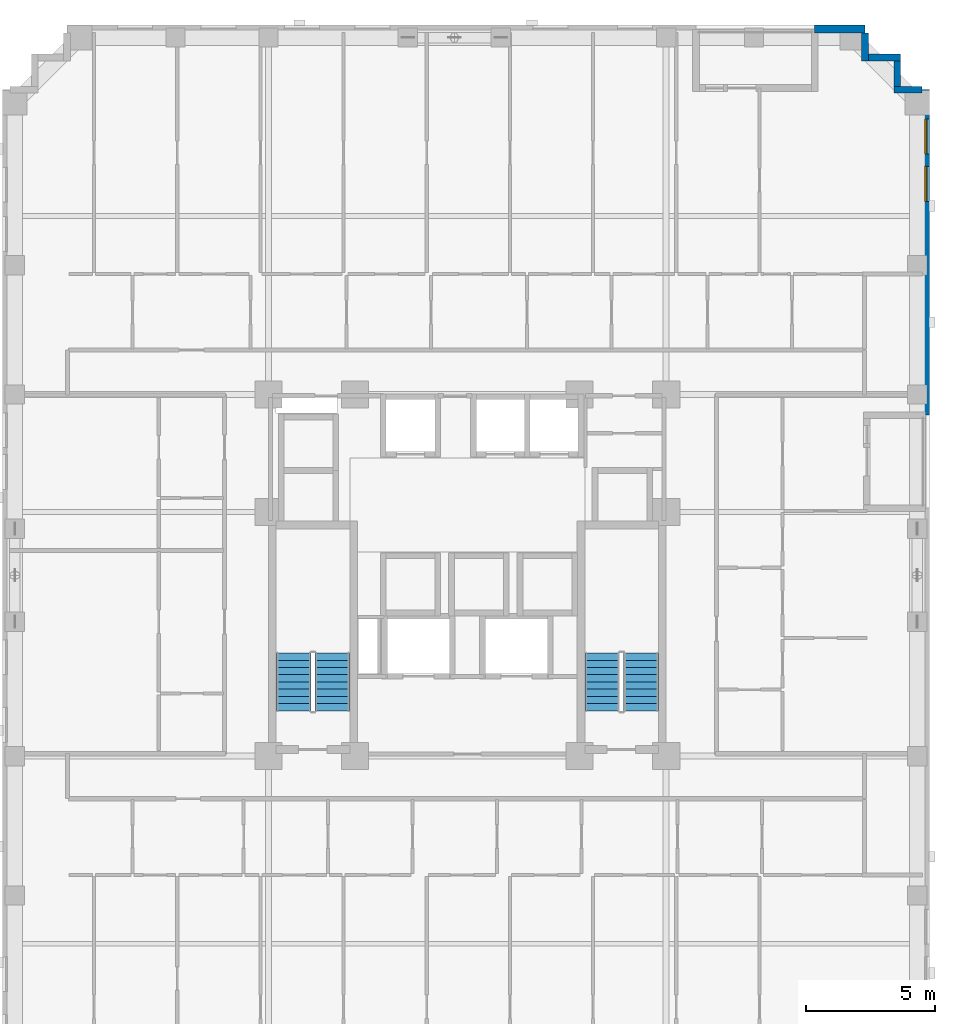
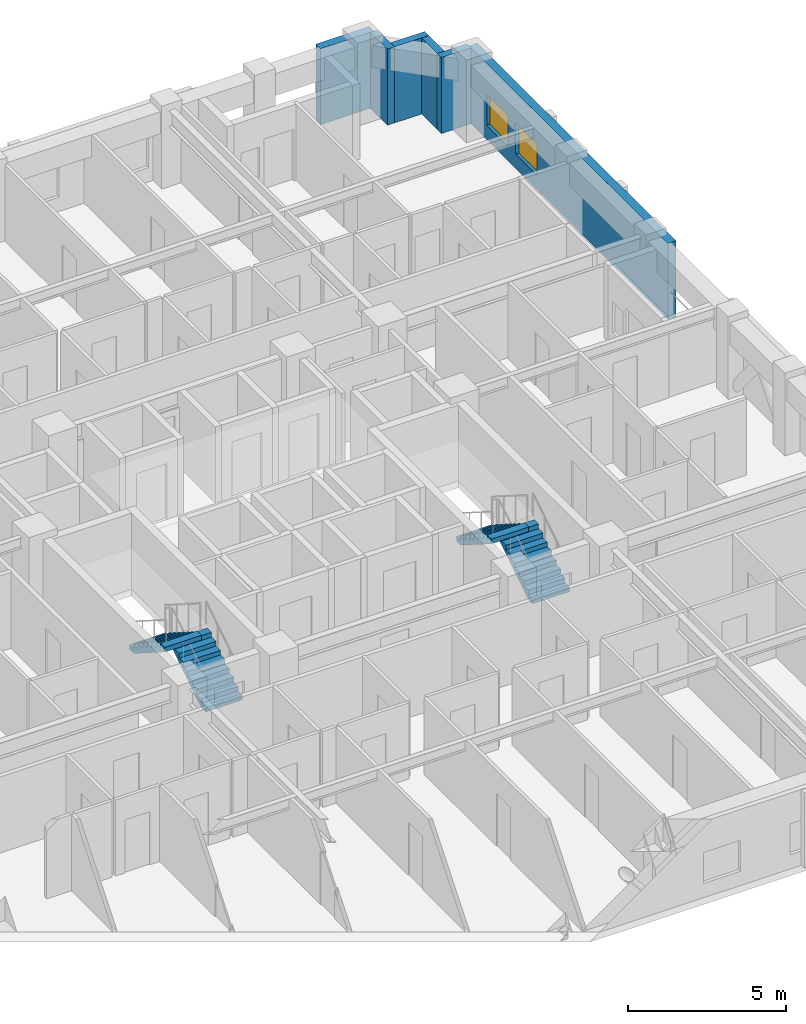
# One storey, part 9 of 13: 6 walls, 4 stair flights, 2 windows, 2 openings, 2 elements without a shape of their own.
"""IFC4 building model written with IfcOpenShell, lengths in metres."""

import ifcopenshell
import ifcopenshell.guid

model = None  # the IFC model being written
_history = None  # IfcOwnerHistory: only IFC2X3 demands one
_inside = {}  # id of a spatial element -> (the spatial element, [elements in it])
_under = {}  # id of a project, library or spatial element -> (it, [spatial elements below it])
_declared = {}  # id of a project -> (the project, [libraries it declares])
_typed = {}  # id of a type object -> (the type object, [elements of that type])
_made_of = {}  # id of a material, layer set ... -> (it, [elements and type objects made of it])


def new_model(schema):
    """Start an empty IFC model of exactly this schema.

    Asked for "IFC4X3", IfcOpenShell would pick the latest addendum, in which some entities
    have other attributes; the version numbers below select the first issue.
    IFC2X3 requires an IfcOwnerHistory on every rooted entity: one is made here for all.
    """
    global model, _history
    if schema == "IFC4X3":
        model = ifcopenshell.file(schema_version=(4, 3, 0, 0))
    else:
        model = ifcopenshell.file(schema=schema)
    _inside.clear()
    _under.clear()
    _declared.clear()
    _typed.clear()
    _made_of.clear()
    _history = None
    if model.schema == "IFC2X3":
        org = make("IfcOrganization", Name="unknown")
        user = make(
            "IfcPersonAndOrganization",
            ThePerson=make("IfcPerson", FamilyName="unknown"),
            TheOrganization=org,
        )
        app = make(
            "IfcApplication",
            ApplicationDeveloper=org,
            Version="unknown",
            ApplicationFullName="unknown",
            ApplicationIdentifier="unknown",
        )
        _history = make(
            "IfcOwnerHistory",
            OwningUser=user,
            OwningApplication=app,
            ChangeAction="ADDED",
            CreationDate=0,
        )
    return model


def make(cls, **values):
    """One entity of the class cls with the attributes given. An attribute that is None is left unset."""
    return model.create_entity(
        cls, **{name: value for name, value in values.items() if value is not None}
    )


def rooted(cls, **values):
    """An entity with a GlobalId (a new one), such as an element, a storey or a relation."""
    return make(cls, GlobalId=ifcopenshell.guid.new(), OwnerHistory=_history, **values)


def si_unit(unit_type, name, prefix=None):
    """IfcSIUnit, for example si_unit("LENGTHUNIT", "METRE", prefix="MILLI")."""
    return make("IfcSIUnit", UnitType=unit_type, Prefix=prefix, Name=name)


def derived_unit(unit_type, elements):
    """IfcDerivedUnit: a product of units, each with its exponent."""
    return make(
        "IfcDerivedUnit",
        Elements=[
            make("IfcDerivedUnitElement", Unit=unit, Exponent=power)
            for unit, power in elements
        ],
        UnitType=unit_type,
    )


def assignment(units):
    """IfcUnitAssignment: the units of a project."""
    return None if units is None else make("IfcUnitAssignment", Units=units)


def point(xyz):
    """IfcCartesianPoint."""
    return None if xyz is None else make("IfcCartesianPoint", Coordinates=xyz)


def direction(xyz):
    """IfcDirection."""
    return None if xyz is None else make("IfcDirection", DirectionRatios=xyz)


def frame(location, z_axis=None, x_axis=None):
    """IfcAxis2Placement3D, a coordinate frame: its origin and axes. An axis left out is left unset."""
    return make(
        "IfcAxis2Placement3D",
        Location=point(location),
        Axis=direction(z_axis),
        RefDirection=direction(x_axis),
    )


def frame_2d(location, x_axis=None):
    """IfcAxis2Placement2D, a coordinate frame in the plane: its origin and x axis."""
    return make(
        "IfcAxis2Placement2D", Location=point(location), RefDirection=direction(x_axis)
    )


def origin():
    """The frame at (0, 0, 0) with its axes left unset."""
    return frame((0.0, 0.0, 0.0))


def place(relative_to, where):
    """IfcLocalPlacement: puts the frame where relative to a parent placement (None: the world)."""
    return make(
        "IfcLocalPlacement", PlacementRelTo=relative_to, RelativePlacement=where
    )


def context(
    kind, dimensions, precision=None, world=None, true_north=None, identifier=None
):
    """IfcGeometricRepresentationContext, for example the 3D "Model" context."""
    return make(
        "IfcGeometricRepresentationContext",
        ContextIdentifier=identifier,
        ContextType=kind,
        CoordinateSpaceDimension=dimensions,
        Precision=precision,
        WorldCoordinateSystem=world,
        TrueNorth=true_north,
    )


def subcontext(parent, identifier, kind, view, scale=None):
    """IfcGeometricRepresentationSubContext, for example "Body" below "Model"."""
    return make(
        "IfcGeometricRepresentationSubContext",
        ContextIdentifier=identifier,
        ContextType=kind,
        ParentContext=parent,
        TargetScale=scale,
        TargetView=view,
    )


def project(units=None, contexts=None):
    """IfcProject with its units and contexts."""
    return rooted(
        "IfcProject",
        Name="project",
        RepresentationContexts=contexts,
        UnitsInContext=assignment(units),
    )


def spatial(cls, under=None, at=None, **own):
    """A site, building, storey or space (cls), placed at a placement, below another one or the project."""
    s = rooted(cls, ObjectPlacement=at, **own)
    if under is not None:
        _under.setdefault(under.id(), (under, []))[1].append(s)
    return s


def polyline(points):
    """IfcPolyline through the points."""
    return make("IfcPolyline", Points=[point(p) for p in points])


def profile(cls, at=None, kind="AREA", **sizes):
    """A parametric profile (cls). Its sizes go by their IFC names, for example OverallWidth=200.0."""
    return make(cls, ProfileType=kind, Position=at, **sizes)


def rectangle(**sizes):
    """IfcRectangleProfileDef."""
    return profile("IfcRectangleProfileDef", **sizes)


def outline(outer, holes=None, kind="AREA"):
    """IfcArbitraryClosedProfileDef: a profile drawn as a closed curve; with holes, ...WithVoids."""
    if holes is None:
        return make("IfcArbitraryClosedProfileDef", ProfileType=kind, OuterCurve=outer)
    return make(
        "IfcArbitraryProfileDefWithVoids",
        ProfileType=kind,
        OuterCurve=outer,
        InnerCurves=holes,
    )


def extrude(swept, where, along, depth):
    """IfcExtrudedAreaSolid: the profile swept, set in the frame where, extruded along a direction by depth."""
    return make(
        "IfcExtrudedAreaSolid",
        SweptArea=swept,
        Position=where,
        ExtrudedDirection=direction(along),
        Depth=depth,
    )


def shape(context_of_items, identifier, shape_type, items):
    """IfcShapeRepresentation: the items that make up one representation, for example the "Body"."""
    return make(
        "IfcShapeRepresentation",
        ContextOfItems=context_of_items,
        RepresentationIdentifier=identifier,
        RepresentationType=shape_type,
        Items=items,
    )


def material(Name=None, Category=None):
    """IfcMaterial."""
    return make("IfcMaterial", Name=Name, Category=Category)


def layer(
    of_material, thickness, ventilated=None, Name=None, Category=None, Priority=None
):
    """IfcMaterialLayer: one layer of a wall or slab, of a material (None: an air gap)."""
    return make(
        "IfcMaterialLayer",
        Material=of_material,
        LayerThickness=thickness,
        IsVentilated=ventilated,
        Name=Name,
        Category=Category,
        Priority=Priority,
    )


def layer_set(layers, Name=None):
    """IfcMaterialLayerSet."""
    return make("IfcMaterialLayerSet", MaterialLayers=layers, LayerSetName=Name)


def made_of(thing, what):
    """Note that an element or type object is made of a material, layer set ...; save() writes the relation."""
    if what is not None:
        _made_of.setdefault(what.id(), (what, []))[1].append(thing)
    return thing


def type_object(cls, material=None, **own):
    """A type object (cls), such as IfcWallType, which elements share."""
    return made_of(rooted(cls, **own), material)


def element(
    cls,
    number,
    at=None,
    inside=None,
    cuts=None,
    type_object=None,
    material=None,
    context=None,
    identifier="Body",
    shape_type=None,
    held_by="IfcProductDefinitionShape",
    body=None,
    shapes=None,
    **own,
):
    """One element of the class cls, such as IfcWall. Its Tag is "e" and its number.

    at: its placement. inside: the storey or other place that contains it. cuts: it is an
    opening in that element (IfcRelVoidsElement). A single representation is given by context,
    identifier, shape_type and body (its items); several are given by shapes. held_by: the class
    of the entity that holds the representations. save() writes the other relations.
    """
    e = rooted(cls, Tag="e%d" % number, ObjectPlacement=at, **own)
    if body is not None:
        shapes = [shape(context, identifier, shape_type, body)]
    if shapes is not None:
        e.Representation = make(held_by, Representations=shapes)
    if inside is not None:
        _inside.setdefault(inside.id(), (inside, []))[1].append(e)
    if cuts is not None:
        rooted(
            "IfcRelVoidsElement", RelatingBuildingElement=cuts, RelatedOpeningElement=e
        )
    if type_object is not None:
        _typed.setdefault(type_object.id(), (type_object, []))[1].append(e)
    return made_of(e, material)


def fill(opening, filler):
    """IfcRelFillsElement: the door or window that sits in an opening."""
    return rooted(
        "IfcRelFillsElement",
        RelatingOpeningElement=opening,
        RelatedBuildingElement=filler,
    )


def aggregate(whole, parts):
    """IfcRelAggregates: a whole, such as a stair, and the parts it consists of."""
    return rooted("IfcRelAggregates", RelatingObject=whole, RelatedObjects=parts)


def save(model, path):
    """Write the relations noted so far, then the file.

    IfcRelAggregates (storeys below a building ...), IfcRelContainedInSpatialStructure (elements
    in a storey), IfcRelDefinesByType, IfcRelAssociatesMaterial and IfcRelDeclares: one each for
    every whole, place, type object, material and project.
    """
    for whole, parts in _under.values():
        aggregate(whole, parts)
    for where, things in _inside.values():
        rooted(
            "IfcRelContainedInSpatialStructure",
            RelatedElements=things,
            RelatingStructure=where,
        )
    for kind, things in _typed.values():
        rooted("IfcRelDefinesByType", RelatedObjects=things, RelatingType=kind)
    for what, things in _made_of.values():
        rooted("IfcRelAssociatesMaterial", RelatedObjects=things, RelatingMaterial=what)
    for by, libraries in _declared.values():
        rooted("IfcRelDeclares", RelatingContext=by, RelatedDefinitions=libraries)
    model.write(path)


model = new_model("IFC4")

# Units and contexts
model_context = context("Model", 3, precision=1e-05, world=origin(), true_north=direction((0.0, 1.0)))
body_context = subcontext(model_context, "Body", "Model", "MODEL_VIEW")
ifc_project = project(units=[si_unit("LENGTHUNIT", "METRE"), si_unit("AREAUNIT", "SQUARE_METRE"), si_unit("VOLUMEUNIT", "CUBIC_METRE"), si_unit("PLANEANGLEUNIT", "RADIAN"), si_unit("MASSUNIT", "GRAM", prefix="KILO"), derived_unit("THERMALTRANSMITTANCEUNIT", [(si_unit("MASSUNIT", "GRAM", prefix="KILO"), 1), (si_unit("TIMEUNIT", "SECOND"), -3), (si_unit("THERMODYNAMICTEMPERATUREUNIT", "KELVIN"), -1)])], contexts=[model_context])

# Site, building, storey
site_placement = place(None, origin())
site = spatial("IfcSite", under=ifc_project, at=site_placement, CompositionType="ELEMENT")
building_placement = place(site_placement, origin())
building = spatial("IfcBuilding", under=site, at=building_placement, Name="Korrvale Station Residences", CompositionType="ELEMENT")
storey_placement = place(building_placement, frame((0.0, 0.0, 100.699951171875)))
storey = spatial("IfcBuildingStorey", under=building, at=storey_placement, Name="L28", CompositionType="ELEMENT", Elevation=100.699951171875)

# Walls
ifc_material_1 = material(Name="Precast concrete C45/55", Category="concrete")
ifc_layer_1 = layer(ifc_material_1, 0.260009765625, Name="Precast concrete C45/55")
ifc_layer_set_1 = layer_set([ifc_layer_1], Name="Precast concrete C45/55")
wall_type_1 = type_object("IfcWallType", Name="WAL-EXT-LOG260", PredefinedType="SOLIDWALL", material=ifc_layer_set_1)
wall_1_placement = place(storey_placement, frame((40.89990234375, 42.998046875, 0.0), z_axis=(0.0, 0.0, 1.0), x_axis=(0.0, -1.0, 0.0)))
element("IfcWall", 1, at=wall_1_placement, inside=storey, type_object=wall_type_1, Name="L28 Serrated Corner Precast Step NE-1", PredefinedType="SOLIDWALL", context=body_context, shape_type="SweptSolid", body=[
    extrude(rectangle(XDim=1.078125, YDim=0.260009765625, at=frame_2d((0.5390625, 0.0))), origin(), (0.0, 0.0, 1.0), 2.93994140625),
])
wall_2_placement = place(storey_placement, frame((41.031982421875, 42.050048828125, 0.0), z_axis=(0.0, 0.0, 1.0), x_axis=(1.0, 0.0, 0.0)))
element("IfcWall", 2, at=wall_2_placement, inside=storey, type_object=wall_type_1, Name="L28 Serrated Corner Precast Step NE-2", PredefinedType="SOLIDWALL", context=body_context, shape_type="SweptSolid", body=[
    extrude(rectangle(XDim=1.248046875, YDim=0.260009765625, at=frame_2d((0.6240234375, 0.0))), origin(), (0.0, 0.0, 1.0), 2.93994140625),
])
wall_3_placement = place(storey_placement, frame((42.14990234375, 41.91796875, 0.0), z_axis=(0.0, 0.0, 1.0), x_axis=(0.0, -1.0, 0.0)))
element("IfcWall", 3, at=wall_3_placement, inside=storey, type_object=wall_type_1, Name="L28 Serrated Corner Precast Step NE-3", PredefinedType="SOLIDWALL", context=body_context, shape_type="SweptSolid", body=[
    extrude(rectangle(XDim=0.986083984375, YDim=0.260009765625, at=frame_2d((0.4931640625, 0.0))), origin(), (0.0, 0.0, 1.0), 2.93994140625),
])
wall_4_placement = place(storey_placement, frame((42.02001953125, 40.800048828125, 0.0), z_axis=(0.0, 0.0, 1.0), x_axis=(1.0, 0.0, 0.0)))
element("IfcWall", 4, at=wall_4_placement, inside=storey, type_object=wall_type_1, Name="L28 Serrated Corner Precast Step NE-4", PredefinedType="SOLIDWALL", context=body_context, shape_type="SweptSolid", body=[
    extrude(rectangle(XDim=1.077880859375, YDim=0.260009765625, at=frame_2d((0.5390625, 0.0))), origin(), (0.0, 0.0, 1.0), 2.93994140625),
])
ifc_layer_2 = layer(ifc_material_1, 0.300048828125, Name="Precast concrete C45/55")
ifc_layer_set_2 = layer_set([ifc_layer_2], Name="Precast concrete C45/55")
wall_type_2 = type_object("IfcWallType", Name="WAL-EXT-PC300", PredefinedType="SOLIDWALL", material=ifc_layer_set_2)
wall_5_placement = place(storey_placement, frame((38.949951171875, 43.14990234375, 0.0), z_axis=(0.0, 0.0, 1.0), x_axis=(1.0, 0.0, 0.0)))
element("IfcWall", 5, at=wall_5_placement, inside=storey, type_object=wall_type_2, Name="L28 North Exterior Precast Wall 2", PredefinedType="SOLIDWALL", context=body_context, shape_type="SweptSolid", body=[
    extrude(rectangle(XDim=1.949951171875, YDim=0.300048828125, at=frame_2d((0.97509765625, 0.0))), origin(), (0.0, 0.0, 1.0), 2.93994140625),
])

# Wall, openings, windows
wall_6_placement = place(storey_placement, frame((43.25, 40.800048828125, 0.0), z_axis=(0.0, 0.0, 1.0), x_axis=(0.0, -1.0, 0.0)))
wall_6 = element("IfcWall", 6, at=wall_6_placement, inside=storey, type_object=wall_type_2, Name="L28 East Exterior Precast Wall 1", PredefinedType="SOLIDWALL", context=body_context, shape_type="SweptSolid", body=[
    extrude(rectangle(XDim=12.60009765625, YDim=0.300048828125, at=frame_2d((6.300048828125, 0.0))), origin(), (0.0, 0.0, 1.0), 2.93994140625),
])
opening_1_placement = place(wall_6_placement, frame((2.968017578125, 0.0, 0.550048828125)))
opening_1 = element("IfcOpeningElement", 7, at=opening_1_placement, cuts=wall_6, Name="Opening W-10", PredefinedType="OPENING", context=body_context, shape_type="SweptSolid", body=[
    extrude(rectangle(XDim=1.35009765625, YDim=1.199951171875, at=frame_2d((0.675048828125, 0.60009765625))), frame((0.0, 0.16015625, 0.0), z_axis=(0.0, -1.0, 0.0), x_axis=(1.0, 0.0, 0.0)), (0.0, 0.0, 1.0), 0.320068359375),
])
opening_2_placement = place(wall_6_placement, frame((1.135009765625, 0.0, 0.550048828125)))
opening_2 = element("IfcOpeningElement", 8, at=opening_2_placement, cuts=wall_6, Name="Opening W-10", PredefinedType="OPENING", context=body_context, shape_type="SweptSolid", body=[
    extrude(rectangle(XDim=1.35009765625, YDim=1.199951171875, at=frame_2d((0.675048828125, 0.60009765625))), frame((0.0, 0.16015625, 0.0), z_axis=(0.0, -1.0, 0.0), x_axis=(1.0, 0.0, 0.0)), (0.0, 0.0, 1.0), 0.320068359375),
])
ifc_material_2 = material(Name="Thermally broken aluminium frame with triple low-e glazing", Category="aluminium")
window_type = type_object("IfcWindowType", Name="WIN-W10", PartitioningType="SINGLE_PANEL", PredefinedType="WINDOW", material=ifc_material_2)
window_1_placement = place(opening_1_placement, origin())
window_1 = element("IfcWindow", 9, at=window_1_placement, inside=storey, type_object=window_type, Name="L28 Punched Window 21", OverallHeight=1.199951171875, OverallWidth=1.35009765625, PartitioningType="SINGLE_PANEL", PredefinedType="WINDOW", context=body_context, shape_type="SweptSolid", body=[
    extrude(rectangle(XDim=1.35009765625, YDim=1.199951171875, at=frame_2d((0.675048828125, 0.60009765625))), frame((0.0, 0.030029296875, 0.0), z_axis=(0.0, -1.0, 0.0), x_axis=(1.0, 0.0, 0.0)), (0.0, 0.0, 1.0), 0.06005859375),
])
fill(opening_1, window_1)
window_2_placement = place(opening_2_placement, origin())
window_2 = element("IfcWindow", 10, at=window_2_placement, inside=storey, type_object=window_type, Name="L28 Punched Window 22", OverallHeight=1.199951171875, OverallWidth=1.35009765625, PartitioningType="SINGLE_PANEL", PredefinedType="WINDOW", context=body_context, shape_type="SweptSolid", body=[
    extrude(rectangle(XDim=1.35009765625, YDim=1.199951171875, at=frame_2d((0.675048828125, 0.60009765625))), frame((0.0, 0.030029296875, 0.0), z_axis=(0.0, -1.0, 0.0), x_axis=(1.0, 0.0, 0.0)), (0.0, 0.0, 1.0), 0.06005859375),
])
fill(opening_2, window_2)

# Stair, stair flights
ifc_material_3 = material(Name="Concrete C50/60", Category="concrete")
stair_type = type_object("IfcStairType", Name="STR-DL-1350-18R-1778", PredefinedType="HALF_TURN_STAIR", material=ifc_material_3)
stair_1_placement = place(storey_placement, origin())
stair_1 = element("IfcStair", 11, at=stair_1_placement, inside=storey, type_object=stair_type, Name="L28 Exit Stair 1", PredefinedType="HALF_TURN_STAIR")
stair_flight_type = type_object("IfcStairFlightType", Name="FLT-DL-1350-18R-1778", PredefinedType="STRAIGHT", material=ifc_material_3)
stair_flight_1_placement = place(storey_placement, frame((20.27490234375, 16.75, 0.0), z_axis=(0.0, 0.0, 1.0), x_axis=(0.0, 1.0, 0.0)))
stair_flight_1 = element("IfcStairFlight", 12, at=stair_flight_1_placement, type_object=stair_flight_type, Name="ST-1 flight 1", NumberOfRisers=9, NumberOfTreads=8, PredefinedType="STRAIGHT", RiserHeight=0.177777778, TreadLength=0.28, context=body_context, shape_type="SweptSolid", body=[
    extrude(outline(polyline([(0.0, 0.0), (0.0, 0.177734375), (0.280029296875, 0.177734375), (0.280029296875, 0.35546875), (0.56005859375, 0.35546875), (0.56005859375, 0.533447265625), (0.840087890625, 0.533447265625), (0.840087890625, 0.711181640625), (1.1201171875, 0.711181640625), (1.1201171875, 0.888916015625), (1.39990234375, 0.888916015625), (1.39990234375, 1.066650390625), (1.679931640625, 1.066650390625), (1.679931640625, 1.244384765625), (1.9599609375, 1.244384765625), (1.9599609375, 1.422119140625), (2.239990234375, 1.422119140625), (2.239990234375, 1.60009765625), (2.239990234375, 1.24462890625), (0.27978515625, 0.0), (0.0, 0.0)])), frame((0.0, 0.675048828125, 0.0), z_axis=(0.0, -1.0, 0.0), x_axis=(1.0, 0.0, 0.0)), (0.0, 0.0, 1.0), 1.35009765625),
])
stair_flight_2_placement = place(storey_placement, frame((18.77490234375, 18.989990234375, 1.60009765625), z_axis=(0.0, 0.0, 1.0), x_axis=(0.0, -1.0, 0.0)))
stair_flight_2 = element("IfcStairFlight", 13, at=stair_flight_2_placement, type_object=stair_flight_type, Name="ST-1 flight 2", NumberOfRisers=9, NumberOfTreads=8, PredefinedType="STRAIGHT", RiserHeight=0.177777778, TreadLength=0.28, context=body_context, shape_type="SweptSolid", body=[
    extrude(outline(polyline([(0.0, 0.0), (0.0, 0.177734375), (0.280029296875, 0.177734375), (0.280029296875, 0.35546875), (0.56005859375, 0.35546875), (0.56005859375, 0.533447265625), (0.840087890625, 0.533447265625), (0.840087890625, 0.711181640625), (1.1201171875, 0.711181640625), (1.1201171875, 0.888916015625), (1.39990234375, 0.888916015625), (1.39990234375, 1.066650390625), (1.679931640625, 1.066650390625), (1.679931640625, 1.244384765625), (1.9599609375, 1.244384765625), (1.9599609375, 1.422119140625), (2.239990234375, 1.422119140625), (2.239990234375, 1.60009765625), (2.239990234375, 1.24462890625), (0.27978515625, 0.0), (0.0, 0.0)])), frame((0.0, 0.675048828125, 0.0), z_axis=(0.0, -1.0, 0.0), x_axis=(1.0, 0.0, 0.0)), (0.0, 0.0, 1.0), 1.35009765625),
])
aggregate(stair_1, [stair_flight_1, stair_flight_2])

stair_2_placement = place(storey_placement, origin())
stair_2 = element("IfcStair", 14, at=stair_2_placement, inside=storey, type_object=stair_type, Name="L28 Exit Stair 2", PredefinedType="HALF_TURN_STAIR")
stair_flight_3_placement = place(storey_placement, frame((32.22509765625, 16.75, 0.0), z_axis=(0.0, 0.0, 1.0), x_axis=(0.0, 1.0, 0.0)))
stair_flight_3 = element("IfcStairFlight", 15, at=stair_flight_3_placement, type_object=stair_flight_type, Name="ST-2 flight 1", NumberOfRisers=9, NumberOfTreads=8, PredefinedType="STRAIGHT", RiserHeight=0.177777778, TreadLength=0.28, context=body_context, shape_type="SweptSolid", body=[
    extrude(outline(polyline([(0.0, 0.0), (0.0, 0.177734375), (0.280029296875, 0.177734375), (0.280029296875, 0.35546875), (0.56005859375, 0.35546875), (0.56005859375, 0.533447265625), (0.840087890625, 0.533447265625), (0.840087890625, 0.711181640625), (1.1201171875, 0.711181640625), (1.1201171875, 0.888916015625), (1.39990234375, 0.888916015625), (1.39990234375, 1.066650390625), (1.679931640625, 1.066650390625), (1.679931640625, 1.244384765625), (1.9599609375, 1.244384765625), (1.9599609375, 1.422119140625), (2.239990234375, 1.422119140625), (2.239990234375, 1.60009765625), (2.239990234375, 1.24462890625), (0.27978515625, 0.0), (0.0, 0.0)])), frame((0.0, 0.675048828125, 0.0), z_axis=(0.0, -1.0, 0.0), x_axis=(1.0, 0.0, 0.0)), (0.0, 0.0, 1.0), 1.35009765625),
])
stair_flight_4_placement = place(storey_placement, frame((30.72509765625, 18.989990234375, 1.60009765625), z_axis=(0.0, 0.0, 1.0), x_axis=(0.0, -1.0, 0.0)))
stair_flight_4 = element("IfcStairFlight", 16, at=stair_flight_4_placement, type_object=stair_flight_type, Name="ST-2 flight 2", NumberOfRisers=9, NumberOfTreads=8, PredefinedType="STRAIGHT", RiserHeight=0.177777778, TreadLength=0.28, context=body_context, shape_type="SweptSolid", body=[
    extrude(outline(polyline([(0.0, 0.0), (0.0, 0.177734375), (0.280029296875, 0.177734375), (0.280029296875, 0.35546875), (0.56005859375, 0.35546875), (0.56005859375, 0.533447265625), (0.840087890625, 0.533447265625), (0.840087890625, 0.711181640625), (1.1201171875, 0.711181640625), (1.1201171875, 0.888916015625), (1.39990234375, 0.888916015625), (1.39990234375, 1.066650390625), (1.679931640625, 1.066650390625), (1.679931640625, 1.244384765625), (1.9599609375, 1.244384765625), (1.9599609375, 1.422119140625), (2.239990234375, 1.422119140625), (2.239990234375, 1.60009765625), (2.239990234375, 1.24462890625), (0.27978515625, 0.0), (0.0, 0.0)])), frame((0.0, 0.675048828125, 0.0), z_axis=(0.0, -1.0, 0.0), x_axis=(1.0, 0.0, 0.0)), (0.0, 0.0, 1.0), 1.35009765625),
])
aggregate(stair_2, [stair_flight_3, stair_flight_4])

save(model, "model.ifc")
